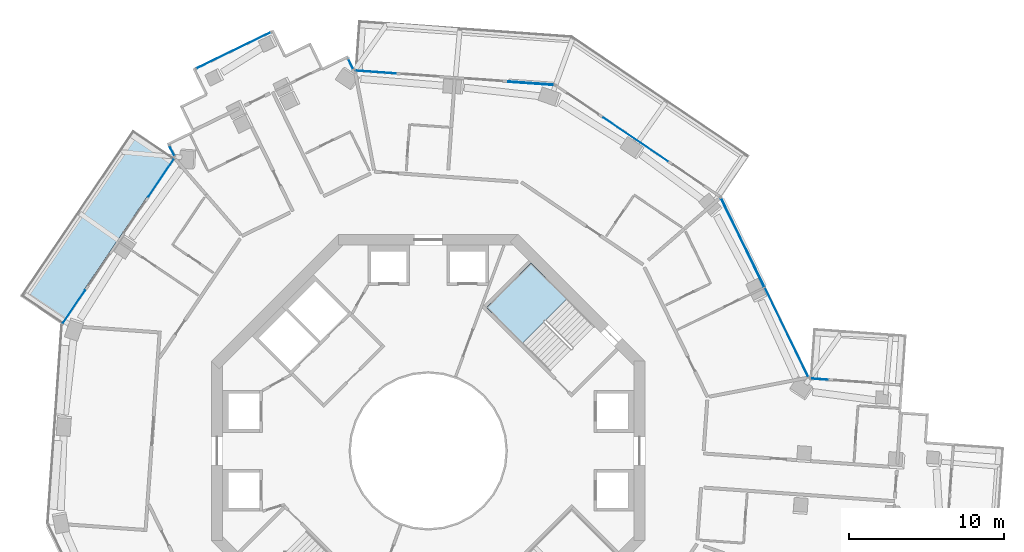
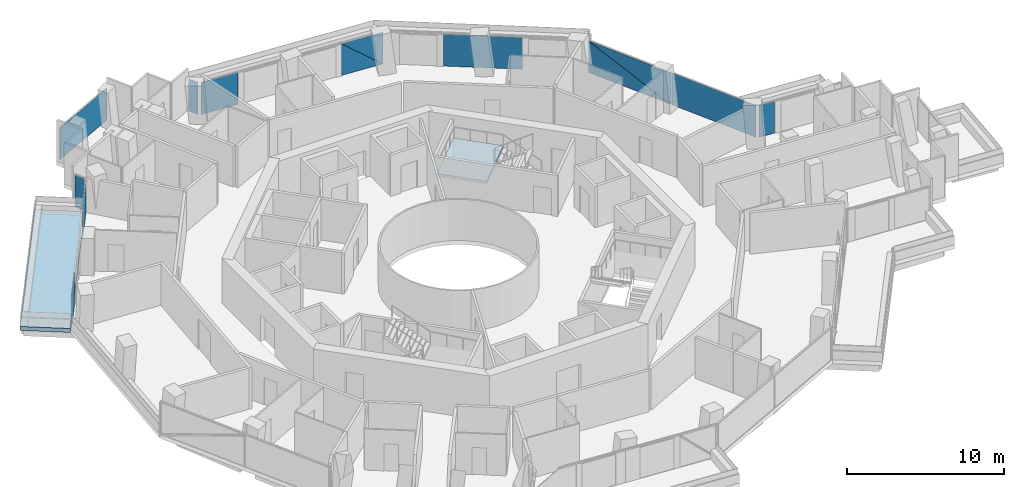
# One storey, part 13 of 22: 13 plates, 2 slabs, 9 elements without a shape of their own.
"""IFC4 building model written with IfcOpenShell, lengths in metres."""

from ifc_helpers import new_model, si_unit, direction, frame, origin, origin_2d, place, context, subcontext, project, spatial, polyline, rectangle, outline, extrude, material, layer, layer_set, type_object, element, aggregate, save


model = new_model("IFC4")

# Units and contexts
model_context = context("Model", 3, precision=1e-05, world=origin(), true_north=direction((0.0, 1.0)))
body_context = subcontext(model_context, "Body", "Model", "MODEL_VIEW")
ifc_project = project(units=[si_unit("LENGTHUNIT", "METRE"), si_unit("AREAUNIT", "SQUARE_METRE"), si_unit("VOLUMEUNIT", "CUBIC_METRE"), si_unit("PLANEANGLEUNIT", "RADIAN"), si_unit("MASSUNIT", "GRAM", prefix="KILO")], contexts=[model_context])

# Site, building, storey
site_placement = place(None, origin())
site = spatial("IfcSite", under=ifc_project, at=site_placement, CompositionType="ELEMENT")
building_placement = place(site_placement, origin())
building = spatial("IfcBuilding", under=site, at=building_placement, Name="Verdalira Terraces Hotel", CompositionType="ELEMENT")
storey_placement = place(building_placement, frame((0.0, 0.0, 140.0)))
storey = spatial("IfcBuildingStorey", under=building, at=storey_placement, Name="L33", CompositionType="ELEMENT", Elevation=140.0)

# Slab
ifc_material_1 = material(Name="Precast concrete C40/50", Category="concrete")
ifc_layer_1 = layer(ifc_material_1, 0.31005859375)
ifc_layer_set_1 = layer_set([ifc_layer_1], Name="Balcony deck 310")
slab_type_1 = type_object("IfcSlabType", Name="Balcony deck 310", PredefinedType="FLOOR", material=ifc_layer_set_1)
slab_1_placement = place(storey_placement, frame((0.0, 0.0, -0.310059)))
element("IfcSlab", 1, at=slab_1_placement, inside=storey, type_object=slab_type_1, Name="Balcony deck", PredefinedType="FLOOR", context=body_context, shape_type="SweptSolid", body=[
    extrude(outline(polyline([(-26.384766, 10.002686), (-23.734375, 8.209473), (-16.449951, 18.976807), (-19.100342, 20.77002), (-26.384766, 10.002686)])), origin(), (0.0, 0.0, 1.0), 0.310059),
])

# Curtain wall, plates
ifc_material_2 = material(Name="Clear glass", Category="glass")
ifc_layer_2 = layer(ifc_material_2, 0.14990234375)
ifc_layer_set_2 = layer_set([ifc_layer_2], Name="CW1 curtain wall")
curtain_wall_type_1 = type_object("IfcCurtainWallType", Name="CW1 curtain wall", PredefinedType="NOTDEFINED", material=ifc_layer_set_2)
curtain_wall_1_placement = place(storey_placement, origin())
curtain_wall_1 = element("IfcCurtainWall", 2, at=curtain_wall_1_placement, inside=storey, type_object=curtain_wall_type_1, Name="CW1 curtain wall L33 edge 11", PredefinedType="NOTDEFINED")
ifc_material_3 = material(Name="Clear glass", Category="glass")
ifc_layer_3 = layer(ifc_material_3, 0.028076171875)
ifc_layer_set_3 = layer_set([ifc_layer_3], Name="CW1 glass unit 28")
plate_type_1 = type_object("IfcPlateType", Name="CW1 glass unit 28", PredefinedType="CURTAIN_PANEL", material=ifc_layer_set_3)
plate_1_placement = place(storey_placement, frame((-17.251953, 17.657227, 0.0), z_axis=(0.0, 0.0, 1.0), x_axis=(-0.560349913, -0.828255984, 0.0)))
plate_1 = element("IfcPlate", 3, at=plate_1_placement, type_object=plate_type_1, Name="CW1 glass unit", PredefinedType="CURTAIN_PANEL", context=body_context, shape_type="SweptSolid", body=[
    extrude(rectangle(XDim=2.965088, YDim=0.028076, at=origin_2d()), origin(), (0.0, 0.0, 1.0), 2.475098),
])
plate_2_placement = place(storey_placement, frame((-22.908936, 9.295654, 0.0), z_axis=(0.0, 0.0, 1.0), x_axis=(-0.560349913, -0.828255984, 0.0)))
plate_2 = element("IfcPlate", 4, at=plate_2_placement, type_object=plate_type_1, Name="CW1 glass unit", PredefinedType="CURTAIN_PANEL", context=body_context, shape_type="SweptSolid", body=[
    extrude(rectangle(XDim=2.604492, YDim=0.028076, at=origin_2d()), origin(), (0.0, 0.0, 1.0), 2.475098),
])
aggregate(curtain_wall_1, [plate_1, plate_2])

curtain_wall_2_placement = place(storey_placement, origin())
curtain_wall_2 = element("IfcCurtainWall", 5, at=curtain_wall_2_placement, inside=storey, type_object=curtain_wall_type_1, Name="CW1 curtain wall L33 edge 39", PredefinedType="NOTDEFINED")
plate_3_placement = place(storey_placement, frame((23.164795, 7.661377, 0.0), z_axis=(0.0, 0.0, 1.0), x_axis=(-0.437115767, 0.899405252, 0.0)))
plate_3 = element("IfcPlate", 6, at=plate_3_placement, type_object=plate_type_1, Name="CW1 glass unit", PredefinedType="CURTAIN_PANEL", context=body_context, shape_type="SweptSolid", body=[
    extrude(rectangle(XDim=6.409912, YDim=0.028076, at=origin_2d()), origin(), (0.0, 0.0, 1.0), 2.475098),
])
plate_4_placement = place(storey_placement, frame((20.33252, 13.456299, 1.237549), z_axis=(0.899405252, 0.437115767, 0.0), x_axis=(-0.437115767, 0.899405252, 0.0)))
plate_4 = element("IfcPlate", 7, at=plate_4_placement, type_object=plate_type_1, Name="CW1 glass unit", PredefinedType="CURTAIN_PANEL", context=body_context, shape_type="SweptSolid", body=[
    extrude(outline(polyline([(-3.185059, -1.237549), (3.185059, -1.237549), (3.185059, 1.237549), (-3.185059, -1.237549)])), origin(), (0.0, 0.0, 1.0), 0.028076),
])
plate_5_placement = place(storey_placement, frame((20.306396, 13.443604, 1.237549), z_axis=(0.899405252, 0.437115767, 0.0), x_axis=(-0.437115767, 0.899405252, 0.0)))
plate_5 = element("IfcPlate", 8, at=plate_5_placement, type_object=plate_type_1, Name="CW1 glass unit", PredefinedType="CURTAIN_PANEL", context=body_context, shape_type="SweptSolid", body=[
    extrude(outline(polyline([(-3.185059, -1.237549), (3.185059, 1.237549), (-3.185059, 1.237549), (-3.185059, -1.237549)])), origin(), (0.0, 0.0, 1.0), 0.028076),
])
aggregate(curtain_wall_2, [plate_3, plate_4, plate_5])

# Curtain wall, plate
curtain_wall_3_placement = place(storey_placement, origin())
curtain_wall_3 = element("IfcCurtainWall", 9, at=curtain_wall_3_placement, inside=storey, type_object=curtain_wall_type_1, Name="CW1 curtain wall L33 edge 40", PredefinedType="NOTDEFINED")
plate_6_placement = place(storey_placement, frame((13.403076, 20.130127, 0.0), z_axis=(0.0, 0.0, 1.0), x_axis=(-0.828255984, 0.560349913, 0.0)))
plate_6 = element("IfcPlate", 10, at=plate_6_placement, type_object=plate_type_1, Name="CW1 glass unit", PredefinedType="CURTAIN_PANEL", context=body_context, shape_type="SweptSolid", body=[
    extrude(rectangle(XDim=5.021729, YDim=0.028076, at=origin_2d()), origin(), (0.0, 0.0, 1.0), 2.475098),
])
aggregate(curtain_wall_3, [plate_6])

# Curtain wall, plates
curtain_wall_4_placement = place(storey_placement, origin())
curtain_wall_4 = element("IfcCurtainWall", 11, at=curtain_wall_4_placement, inside=storey, type_object=curtain_wall_type_1, Name="CW1 curtain wall L33 edge 41", PredefinedType="NOTDEFINED")
plate_7_placement = place(storey_placement, frame((6.644531, 23.756836, 1.237549), z_axis=(0.071149267, 0.997465679, 0.0), x_axis=(-0.997465679, 0.071149267, 0.0)))
plate_7 = element("IfcPlate", 12, at=plate_7_placement, type_object=plate_type_1, Name="CW1 glass unit", PredefinedType="CURTAIN_PANEL", context=body_context, shape_type="SweptSolid", body=[
    extrude(outline(polyline([(-1.462402, -1.237549), (1.462402, -1.237549), (1.462402, 1.237549), (-1.462402, -1.237549)])), origin(), (0.0, 0.0, 1.0), 0.028076),
])
plate_8_placement = place(storey_placement, frame((6.642334, 23.727783, 1.237549), z_axis=(0.071149267, 0.997465679, 0.0), x_axis=(-0.997465679, 0.071149267, 0.0)))
plate_8 = element("IfcPlate", 13, at=plate_8_placement, type_object=plate_type_1, Name="CW1 glass unit", PredefinedType="CURTAIN_PANEL", context=body_context, shape_type="SweptSolid", body=[
    extrude(outline(polyline([(-1.462402, -1.237549), (1.462402, 1.237549), (-1.462402, 1.237549), (-1.462402, -1.237549)])), origin(), (0.0, 0.0, 1.0), 0.028076),
])
plate_9_placement = place(storey_placement, frame((-3.404053, 24.487549, 0.0), z_axis=(0.0, 0.0, 1.0), x_axis=(-0.997465679, 0.071149267, 0.0)))
plate_9 = element("IfcPlate", 14, at=plate_9_placement, type_object=plate_type_1, Name="CW1 glass unit", PredefinedType="CURTAIN_PANEL", context=body_context, shape_type="SweptSolid", body=[
    extrude(rectangle(XDim=2.604492, YDim=0.028076, at=origin_2d()), origin(), (0.0, 0.0, 1.0), 2.475098),
])
aggregate(curtain_wall_4, [plate_7, plate_8, plate_9])

# Curtain wall, plate
ifc_material_4 = material(Name="Clear glass", Category="glass")
ifc_layer_4 = layer(ifc_material_4, 0.14990234375)
ifc_layer_set_4 = layer_set([ifc_layer_4], Name="CW2 curtain wall")
curtain_wall_type_2 = type_object("IfcCurtainWallType", Name="CW2 curtain wall", PredefinedType="NOTDEFINED", material=ifc_layer_set_4)
curtain_wall_5_placement = place(storey_placement, origin())
curtain_wall_5 = element("IfcCurtainWall", 15, at=curtain_wall_5_placement, inside=storey, type_object=curtain_wall_type_2, Name="CW2 curtain wall L33 edge 0", PredefinedType="NOTDEFINED")
ifc_material_5 = material(Name="Clear glass", Category="glass")
ifc_layer_5 = layer(ifc_material_5, 0.031982421875)
ifc_layer_set_5 = layer_set([ifc_layer_5], Name="CW2 glass unit 32")
plate_type_2 = type_object("IfcPlateType", Name="CW2 glass unit 32", PredefinedType="CURTAIN_PANEL", material=ifc_layer_set_5)
plate_10_placement = place(storey_placement, frame((-5.010742, 25.008789, 0.0), z_axis=(0.0, 0.0, 1.0), x_axis=(-0.437115767, 0.899405252, 0.0)))
plate_10 = element("IfcPlate", 16, at=plate_10_placement, type_object=plate_type_2, Name="CW2 glass unit", PredefinedType="CURTAIN_PANEL", context=body_context, shape_type="SweptSolid", body=[
    extrude(rectangle(XDim=0.709961, YDim=0.031982, at=origin_2d()), origin(), (0.0, 0.0, 1.0), 2.475098),
])
aggregate(curtain_wall_5, [plate_10])

curtain_wall_6_placement = place(storey_placement, origin())
curtain_wall_6 = element("IfcCurtainWall", 17, at=curtain_wall_6_placement, inside=storey, type_object=curtain_wall_type_2, Name="CW2 curtain wall L33 edge 10", PredefinedType="NOTDEFINED")
plate_11_placement = place(storey_placement, frame((-16.568115, 19.391846, 0.0), z_axis=(0.0, 0.0, 1.0), x_axis=(0.437115767, -0.899405252, 0.0)))
plate_11 = element("IfcPlate", 18, at=plate_11_placement, type_object=plate_type_2, Name="CW2 glass unit", PredefinedType="CURTAIN_PANEL", context=body_context, shape_type="SweptSolid", body=[
    extrude(rectangle(XDim=0.709961, YDim=0.031982, at=origin_2d()), origin(), (0.0, 0.0, 1.0), 2.475098),
])
aggregate(curtain_wall_6, [plate_11])

curtain_wall_7_placement = place(storey_placement, origin())
curtain_wall_7 = element("IfcCurtainWall", 19, at=curtain_wall_7_placement, inside=storey, type_object=curtain_wall_type_2, Name="CW2 curtain wall L33 edge 38", PredefinedType="NOTDEFINED")
plate_12_placement = place(storey_placement, frame((25.277832, 4.638184, 0.0), z_axis=(0.0, 0.0, 1.0), x_axis=(-0.997465679, 0.071149267, 0.0)))
plate_12 = element("IfcPlate", 20, at=plate_12_placement, type_object=plate_type_2, Name="CW2 glass unit", PredefinedType="CURTAIN_PANEL", context=body_context, shape_type="SweptSolid", body=[
    extrude(rectangle(XDim=1.110596, YDim=0.031982, at=origin_2d()), origin(), (0.0, 0.0, 1.0), 2.475098),
])
aggregate(curtain_wall_7, [plate_12])

ifc_material_6 = material(Name="Clear glass", Category="glass")
ifc_layer_6 = layer(ifc_material_6, 0.14990234375)
ifc_layer_set_6 = layer_set([ifc_layer_6], Name="CW3 curtain wall")
curtain_wall_type_3 = type_object("IfcCurtainWallType", Name="CW3 curtain wall", PredefinedType="NOTDEFINED", material=ifc_layer_set_6)
curtain_wall_8_placement = place(storey_placement, origin())
curtain_wall_8 = element("IfcCurtainWall", 21, at=curtain_wall_8_placement, inside=storey, type_object=curtain_wall_type_3, Name="CW3 curtain wall L33 edge 5", PredefinedType="NOTDEFINED")
ifc_material_7 = material(Name="Clear glass", Category="glass")
ifc_layer_7 = layer(ifc_material_7, 0.035888671875)
ifc_layer_set_7 = layer_set([ifc_layer_7], Name="CW3 glass unit 36")
plate_type_3 = type_object("IfcPlateType", Name="CW3 glass unit 36", PredefinedType="CURTAIN_PANEL", material=ifc_layer_set_7)
plate_13_placement = place(storey_placement, frame((-12.581543, 25.887939, 0.0), z_axis=(0.0, 0.0, 1.0), x_axis=(-0.899405252, -0.437115767, 0.0)))
plate_13 = element("IfcPlate", 22, at=plate_13_placement, type_object=plate_type_3, Name="CW3 glass unit", PredefinedType="CURTAIN_PANEL", context=body_context, shape_type="SweptSolid", body=[
    extrude(rectangle(XDim=5.340088, YDim=0.035889, at=origin_2d()), origin(), (0.0, 0.0, 1.0), 2.475098),
])
aggregate(curtain_wall_8, [plate_13])

# Stair, slab
ifc_material_8 = material(Name="Concrete C40", Category="concrete")
stair_type = type_object("IfcStairType", Name="Core stair 20 risers 2000 mm wide", PredefinedType="HALF_TURN_STAIR", material=ifc_material_8)
stair_placement = place(storey_placement, origin())
stair = element("IfcStair", 23, at=stair_placement, inside=storey, type_object=stair_type, Name="L33 Exit stair ST1", PredefinedType="HALF_TURN_STAIR")
ifc_material_9 = material(Name="Concrete C40", Category="concrete")
ifc_layer_8 = layer(ifc_material_9, 0.199951171875)
ifc_layer_set_8 = layer_set([ifc_layer_8], Name="Core stair landing 200 mm")
slab_type_2 = type_object("IfcSlabType", Name="Core stair landing 200 mm", PredefinedType="LANDING", material=ifc_layer_set_8)
slab_2_placement = place(storey_placement, frame((0.0, 0.0, 1.550049)))
slab_2 = element("IfcSlab", 24, at=slab_2_placement, type_object=slab_type_2, Name="ST1 landing 1", PredefinedType="LANDING", context=body_context, shape_type="SweptSolid", body=[
    extrude(outline(polyline([(8.966553, 9.842529), (6.646729, 12.162354), (3.747559, 9.263184), (6.067383, 6.943359), (8.966553, 9.842529)])), origin(), (0.0, 0.0, 1.0), 0.199951),
])
aggregate(stair, [slab_2])

save(model, "model.ifc")
